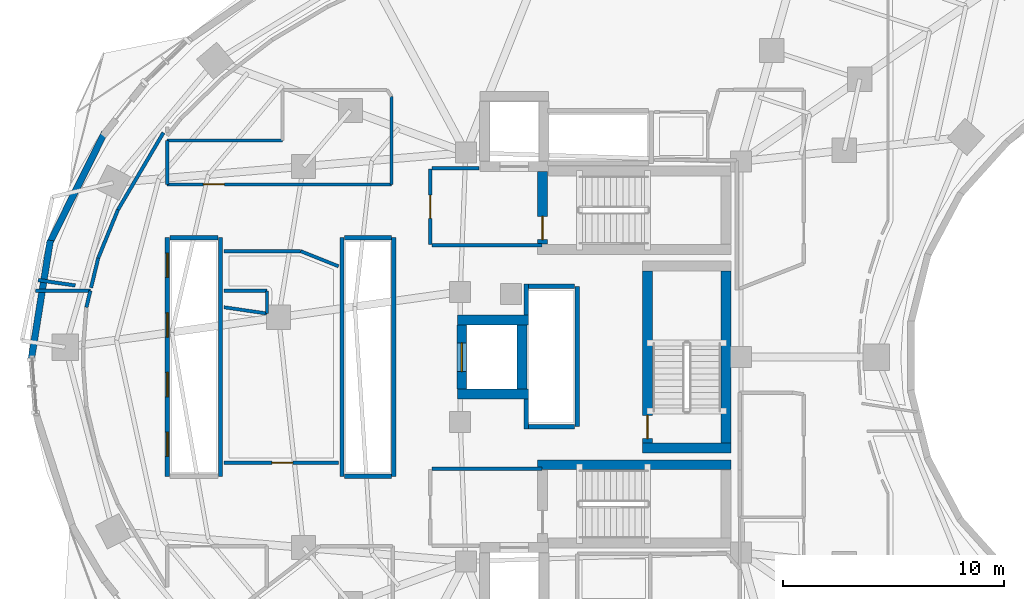
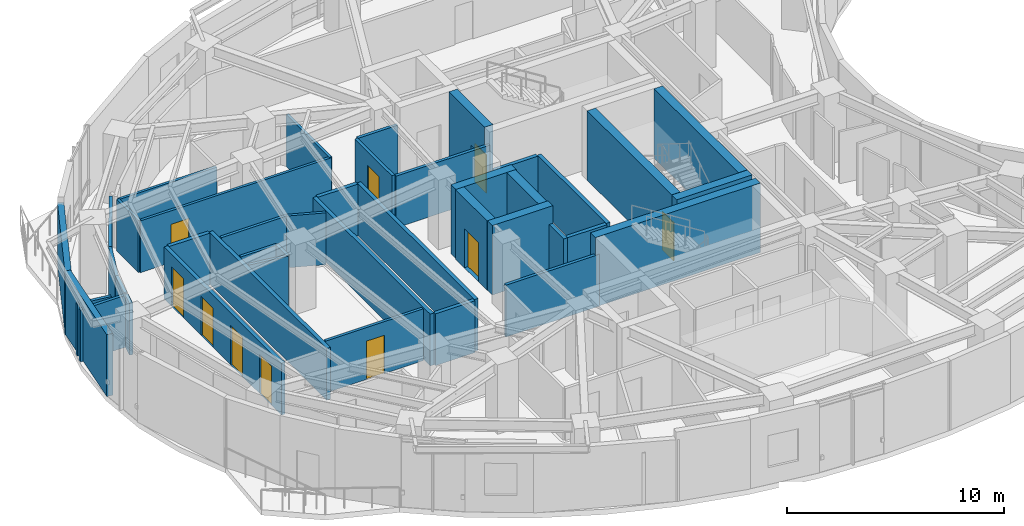
# One storey, part 9 of 15: 43 walls, 10 doors, 10 openings.
"""IFC4 building model written with IfcOpenShell, lengths in metres."""

from ifc_helpers import new_model, si_unit, direction, frame, frame_2d, origin, place, context, subcontext, project, spatial, rectangle, extrude, material, layer, layer_set, type_object, element, fill, save


model = new_model("IFC4")

# Units and contexts
model_context = context("Model", 3, precision=1e-05, world=origin(), true_north=direction((0.0, 1.0)))
body_context = subcontext(model_context, "Body", "Model", "MODEL_VIEW")
ifc_project = project(units=[si_unit("LENGTHUNIT", "METRE"), si_unit("AREAUNIT", "SQUARE_METRE"), si_unit("VOLUMEUNIT", "CUBIC_METRE"), si_unit("PLANEANGLEUNIT", "RADIAN"), si_unit("MASSUNIT", "GRAM", prefix="KILO")], contexts=[model_context])

# Site, building, storey
site_placement = place(None, origin())
site = spatial("IfcSite", under=ifc_project, at=site_placement, CompositionType="ELEMENT")
building_placement = place(site_placement, origin())
building = spatial("IfcBuilding", under=site, at=building_placement, Name="Korentha Bioscience Tower", CompositionType="ELEMENT")
storey_placement = place(building_placement, frame((0.0, 0.0, 115.199951171875)))
storey = spatial("IfcBuildingStorey", under=building, at=storey_placement, Name="L26", CompositionType="ELEMENT", Elevation=115.199951171875)

# Wall, opening, door
ifc_material_1 = material(Name="Double-Stud Acoustic Gypsum", Category="gypsum")
ifc_layer_1 = layer(ifc_material_1, 0.14990234375, Name="Double-Stud Acoustic Gypsum")
ifc_layer_set_1 = layer_set([ifc_layer_1], Name="Double-Stud Acoustic Gypsum (IW-L150)")
wall_type_1 = type_object("IfcWallType", Name="Acoustic Laboratory Partition Wall 150", PredefinedType="PARTITIONING", material=ifc_layer_set_1)
wall_1_placement = place(storey_placement, frame((19.340087890625, 22.2099609375, 0.0), z_axis=(0.0, 0.0, 1.0), x_axis=(-1.0, 0.0, 0.0)))
wall_1 = element("IfcWall", 1, at=wall_1_placement, inside=storey, type_object=wall_type_1, Name="L26 Staff Pantry Kitchenette 01 Entrance Wall", PredefinedType="PARTITIONING", context=body_context, shape_type="SweptSolid", body=[
    extrude(rectangle(XDim=5.18017578125, YDim=0.14990234375, at=frame_2d((2.590087890625, 0.0))), origin(), (0.0, 0.0, 1.0), 2.91015625),
])
opening_1_placement = place(wall_1_placement, frame((2.06787109375, 0.0, 0.0)))
opening_1 = element("IfcOpeningElement", 2, at=opening_1_placement, cuts=wall_1, Name="Opening ID-10L", PredefinedType="OPENING", context=body_context, shape_type="SweptSolid", body=[
    extrude(rectangle(XDim=0.949951171875, YDim=2.14990234375, at=frame_2d((0.47509765625, 1.074951171875))), frame((0.0, 0.08984375, 0.0), z_axis=(0.0, -1.0, 0.0), x_axis=(1.0, 0.0, 0.0)), (0.0, 0.0, 1.0), 0.1796875),
])
ifc_material_2 = material(Name="Phenolic Laminate Timber Core", Category="wood")
door_type_1 = type_object("IfcDoorType", Name="Laboratory Single Leaf Door 950x2150 Left", OperationType="SINGLE_SWING_LEFT", PredefinedType="DOOR", material=ifc_material_2)
door_1_placement = place(opening_1_placement, origin())
door_1 = element("IfcDoor", 3, at=door_1_placement, inside=storey, type_object=door_type_1, Name="L26 Staff Pantry Kitchenette 01 Door", OperationType="SINGLE_SWING_LEFT", OverallHeight=2.14990234375, OverallWidth=0.949951171875, PredefinedType="DOOR", context=body_context, shape_type="SweptSolid", body=[
    extrude(rectangle(XDim=0.949951171875, YDim=2.14990234375, at=frame_2d((0.47509765625, 1.074951171875))), frame((0.0, 0.02490234375, 0.0), z_axis=(0.0, -1.0, 0.0), x_axis=(1.0, 0.0, 0.0)), (0.0, 0.0, 1.0), 0.050048828125),
])
fill(opening_1, door_1)

# Walls
wall_2_placement = place(storey_placement, frame((14.16015625, 29.25146484375, 0.0), z_axis=(0.0, 0.0, 1.0), x_axis=(0.989536319699, -0.144283997718, 0.0)))
element("IfcWall", 4, at=wall_2_placement, inside=storey, type_object=wall_type_1, Name="L26 Interior Partition 020", PredefinedType="PARTITIONING", context=body_context, shape_type="SweptSolid", body=[
    extrude(rectangle(XDim=1.957763671875, YDim=0.14990234375, at=frame_2d((0.97900390625, 0.0))), origin(), (0.0, 0.0, 1.0), 2.91015625),
])
wall_3_placement = place(storey_placement, frame((16.10205078125, 28.972900390625, 0.0), z_axis=(0.0, 0.0, 1.0), x_axis=(0.0, 1.0, 0.0)))
element("IfcWall", 5, at=wall_3_placement, inside=storey, type_object=wall_type_1, Name="L26 Interior Partition 021", PredefinedType="PARTITIONING", context=body_context, shape_type="SweptSolid", body=[
    extrude(rectangle(XDim=1.02490234375, YDim=0.14990234375, at=frame_2d((0.512451171875, 0.0))), origin(), (0.0, 0.0, 1.0), 2.91015625),
])
wall_4_placement = place(storey_placement, frame((16.097900390625, 30.001953125, 0.0), z_axis=(0.0, 0.0, 1.0), x_axis=(-1.0, 0.0, 0.0)))
element("IfcWall", 6, at=wall_4_placement, inside=storey, type_object=wall_type_1, Name="L26 Interior Partition 022", PredefinedType="PARTITIONING", context=body_context, shape_type="SweptSolid", body=[
    extrude(rectangle(XDim=1.937744140625, YDim=0.14990234375, at=frame_2d((0.96875, 0.0))), origin(), (0.0, 0.0, 1.0), 2.91015625),
])
wall_5_placement = place(storey_placement, frame((14.159912109375, 31.7900390625, 0.0), z_axis=(0.0, 0.0, 1.0), x_axis=(1.0, 0.0, 0.0)))
element("IfcWall", 7, at=wall_5_placement, inside=storey, type_object=wall_type_1, Name="L26 Interior Partition 023", PredefinedType="PARTITIONING", context=body_context, shape_type="SweptSolid", body=[
    extrude(rectangle(XDim=3.466552734375, YDim=0.14990234375, at=frame_2d((1.7333984375, 0.0))), origin(), (0.0, 0.0, 1.0), 2.91015625),
])
wall_6_placement = place(storey_placement, frame((17.62646484375, 31.7900390625, 0.0), z_axis=(0.0, 0.0, 1.0), x_axis=(0.928485814786, -0.371367865789, 0.0)))
element("IfcWall", 8, at=wall_6_placement, inside=storey, type_object=wall_type_1, Name="L26 Interior Partition 024", PredefinedType="PARTITIONING", context=body_context, shape_type="SweptSolid", body=[
    extrude(rectangle(XDim=1.845458984375, YDim=0.14990234375, at=frame_2d((0.9228515625, 0.0))), origin(), (0.0, 0.0, 1.0), 2.91015625),
])

# Wall, opening, door
ifc_material_3 = material(Name="Insulated Aluminium Honeycomb Panel", Category="aluminium")
ifc_layer_2 = layer(ifc_material_3, 0.139892578125, Name="Insulated Aluminium Honeycomb Panel")
ifc_layer_set_2 = layer_set([ifc_layer_2], Name="Insulated Aluminium Honeycomb Panel (IW-F60)")
wall_type_2 = type_object("IfcWallType", Name="Cleanroom Flush Metal Panel Partition 140", PredefinedType="PARTITIONING", material=ifc_layer_set_2)
wall_7_placement = place(storey_placement, frame((21.739990234375, 34.81005859375, 0.0), z_axis=(0.0, 0.0, 1.0), x_axis=(-1.0, 0.0, 0.0)))
wall_7 = element("IfcWall", 9, at=wall_7_placement, inside=storey, type_object=wall_type_2, Name="L26 BSL-2 Cell Culture Cleanroom Laboratory 12 Entrance Wall", PredefinedType="PARTITIONING", context=body_context, shape_type="SweptSolid", body=[
    extrude(rectangle(XDim=10.14990234375, YDim=0.139892578125, at=frame_2d((5.074951171875, 0.0))), origin(), (0.0, 0.0, 1.0), 2.91015625),
])
opening_2_placement = place(wall_7_placement, frame((7.568115234375, 0.0, 0.0)))
opening_2 = element("IfcOpeningElement", 10, at=opening_2_placement, cuts=wall_7, Name="Opening ID-10R", PredefinedType="OPENING", context=body_context, shape_type="SweptSolid", body=[
    extrude(rectangle(XDim=0.949951171875, YDim=2.14990234375, at=frame_2d((0.47509765625, 1.074951171875))), frame((0.0, 0.0849609375, 0.0), z_axis=(0.0, -1.0, 0.0), x_axis=(1.0, 0.0, 0.0)), (0.0, 0.0, 1.0), 0.169677734375),
])
door_type_2 = type_object("IfcDoorType", Name="Laboratory Single Leaf Door 950x2150 Right", OperationType="SINGLE_SWING_RIGHT", PredefinedType="DOOR", material=ifc_material_2)
door_2_placement = place(opening_2_placement, origin())
door_2 = element("IfcDoor", 11, at=door_2_placement, inside=storey, type_object=door_type_2, Name="L26 BSL-2 Cell Culture Cleanroom Laboratory 12 Door", OperationType="SINGLE_SWING_RIGHT", OverallHeight=2.14990234375, OverallWidth=0.949951171875, PredefinedType="DOOR", context=body_context, shape_type="SweptSolid", body=[
    extrude(rectangle(XDim=0.949951171875, YDim=2.14990234375, at=frame_2d((0.47509765625, 1.074951171875))), frame((0.0, 0.02490234375, 0.0), z_axis=(0.0, -1.0, 0.0), x_axis=(1.0, 0.0, 0.0)), (0.0, 0.0, 1.0), 0.050048828125),
])
fill(opening_2, door_2)

# Walls
wall_8_placement = place(storey_placement, frame((21.739990234375, 38.79345703125, 0.0), z_axis=(0.0, 0.0, 1.0), x_axis=(0.0, -1.0, 0.0)))
element("IfcWall", 12, at=wall_8_placement, inside=storey, type_object=wall_type_2, Name="L26 Interior Partition 088", PredefinedType="PARTITIONING", context=body_context, shape_type="SweptSolid", body=[
    extrude(rectangle(XDim=3.9833984375, YDim=0.139892578125, at=frame_2d((1.99169921875, 0.0))), origin(), (0.0, 0.0, 1.0), 2.91015625),
])
wall_9_placement = place(storey_placement, frame((11.590087890625, 34.81005859375, 0.0), z_axis=(0.0, 0.0, 1.0), x_axis=(0.0, 1.0, 0.0)))
element("IfcWall", 13, at=wall_9_placement, inside=storey, type_object=wall_type_2, Name="L26 Interior Partition 089", PredefinedType="PARTITIONING", context=body_context, shape_type="SweptSolid", body=[
    extrude(rectangle(XDim=1.97998046875, YDim=0.139892578125, at=frame_2d((0.989990234375, 0.0))), origin(), (0.0, 0.0, 1.0), 2.91015625),
])
wall_10_placement = place(storey_placement, frame((11.590087890625, 36.7900390625, 0.0), z_axis=(0.0, 0.0, 1.0), x_axis=(1.0, 0.0, 0.0)))
element("IfcWall", 14, at=wall_10_placement, inside=storey, type_object=wall_type_2, Name="L26 Interior Partition 090", PredefinedType="PARTITIONING", context=body_context, shape_type="SweptSolid", body=[
    extrude(rectangle(XDim=5.2099609375, YDim=0.139892578125, at=frame_2d((2.60498046875, 0.0))), origin(), (0.0, 0.0, 1.0), 2.91015625),
])

# Wall, opening, door
ifc_material_4 = material(Name="Gypsum-Clad Steel Stud", Category="steel")
ifc_layer_3 = layer(ifc_material_4, 0.159912109375, Name="Gypsum-Clad Steel Stud")
ifc_layer_set_3 = layer_set([ifc_layer_3], Name="Gypsum-Clad Steel Stud (IW-C160)")
wall_type_3 = type_object("IfcWallType", Name="Fire-Rated Corridor Partition Wall 160", PredefinedType="PARTITIONING", material=ifc_layer_set_3)
wall_11_placement = place(storey_placement, frame((23.5, 32.10009765625, 0.0), z_axis=(0.0, 0.0, 1.0), x_axis=(0.0, 1.0, 0.0)))
wall_11 = element("IfcWall", 15, at=wall_11_placement, inside=storey, type_object=wall_type_3, Name="L26 FFLN-CW Rated Enclosure Wall", PredefinedType="PARTITIONING", context=body_context, shape_type="SweptSolid", body=[
    extrude(rectangle(XDim=3.39990234375, YDim=0.159912109375, at=frame_2d((1.699951171875, 0.0))), origin(), (0.0, 0.0, 1.0), 2.91015625),
])
opening_3_placement = place(wall_11_placement, frame((1.175048828125, 0.0, 0.0)))
opening_3 = element("IfcOpeningElement", 16, at=opening_3_placement, cuts=wall_11, Name="Opening FD-90L", PredefinedType="OPENING", context=body_context, shape_type="SweptSolid", body=[
    extrude(rectangle(XDim=1.050048828125, YDim=2.14990234375, at=frame_2d((0.52490234375, 1.074951171875))), frame((0.0, 0.0947265625, 0.0), z_axis=(0.0, -1.0, 0.0), x_axis=(1.0, 0.0, 0.0)), (0.0, 0.0, 1.0), 0.189697265625),
])
ifc_material_5 = material(Name="Powder-Coated Fire-Rated Steel", Category="steel")
door_type_3 = type_object("IfcDoorType", Name="Stairwell Fire Exit Door 1050x2150 Left", OperationType="SINGLE_SWING_LEFT", PredefinedType="DOOR", material=ifc_material_5)
door_3_placement = place(opening_3_placement, origin())
door_3 = element("IfcDoor", 17, at=door_3_placement, inside=storey, type_object=door_type_3, Name="L26 North Firefighting Lobby Door", OperationType="SINGLE_SWING_LEFT", OverallHeight=2.14990234375, OverallWidth=1.050048828125, PredefinedType="DOOR", context=body_context, shape_type="SweptSolid", body=[
    extrude(rectangle(XDim=1.050048828125, YDim=2.14990234375, at=frame_2d((0.52490234375, 1.074951171875))), frame((0.0, 0.02490234375, 0.0), z_axis=(0.0, -1.0, 0.0), x_axis=(1.0, 0.0, 0.0)), (0.0, 0.0, 1.0), 0.050048828125),
])
fill(opening_3, door_3)

# Walls
wall_12_placement = place(storey_placement, frame((23.580078125, 32.050048828125, 0.0), z_axis=(0.0, 0.0, 1.0), x_axis=(1.0, 0.0, 0.0)))
element("IfcWall", 18, at=wall_12_placement, inside=storey, type_object=wall_type_3, Name="L26 Firefighting Lobby Return Wall FFLN-S", PredefinedType="PARTITIONING", context=body_context, shape_type="SweptSolid", body=[
    extrude(rectangle(XDim=4.969970703125, YDim=0.159912109375, at=frame_2d((2.48486328125, 0.0))), origin(), (0.0, 0.0, 1.0), 2.91015625),
])
wall_13_placement = place(storey_placement, frame((23.580078125, 35.550048828125, 0.0), z_axis=(0.0, 0.0, 1.0), x_axis=(1.0, 0.0, 0.0)))
element("IfcWall", 19, at=wall_13_placement, inside=storey, type_object=wall_type_3, Name="L26 Firefighting Lobby Return Wall FFLN-N", PredefinedType="PARTITIONING", context=body_context, shape_type="SweptSolid", body=[
    extrude(rectangle(XDim=2.119873046875, YDim=0.159912109375, at=frame_2d((1.06005859375, 0.0))), origin(), (0.0, 0.0, 1.0), 2.91015625),
])
wall_14_placement = place(storey_placement, frame((23.580078125, 21.949951171875, 0.0), z_axis=(0.0, 0.0, 1.0), x_axis=(1.0, 0.0, 0.0)))
element("IfcWall", 20, at=wall_14_placement, inside=storey, type_object=wall_type_3, Name="L26 Firefighting Lobby Return Wall FFLS-N", PredefinedType="PARTITIONING", context=body_context, shape_type="SweptSolid", body=[
    extrude(rectangle(XDim=4.969970703125, YDim=0.159912109375, at=frame_2d((2.48486328125, 0.0))), origin(), (0.0, 0.0, 1.0), 2.91015625),
])
wall_15_placement = place(storey_placement, frame((5.638916015625, 29.998046875, 0.0), z_axis=(0.0, 0.0, 1.0), x_axis=(1.0, 0.0, 0.0)))
element("IfcWall", 21, at=wall_15_placement, inside=storey, type_object=wall_type_3, Name="L26 Interior Partition 025", PredefinedType="PARTITIONING", context=body_context, shape_type="SweptSolid", body=[
    extrude(rectangle(XDim=2.47119140625, YDim=0.159912109375, at=frame_2d((1.235595703125, 0.0))), origin(), (0.0, 0.0, 1.0), 2.91015625),
])
wall_16_placement = place(storey_placement, frame((8.110107421875, 29.998046875, 0.0), z_axis=(0.0, 0.0, 1.0), x_axis=(-0.233781391942, -0.972289185779, 0.0)))
element("IfcWall", 22, at=wall_16_placement, inside=storey, type_object=wall_type_3, Name="L26 Interior Partition 026", PredefinedType="PARTITIONING", context=body_context, shape_type="SweptSolid", body=[
    extrude(rectangle(XDim=0.7685546875, YDim=0.159912109375, at=frame_2d((0.38427734375, 0.0))), origin(), (0.0, 0.0, 1.0), 2.91015625),
])
wall_17_placement = place(storey_placement, frame((11.418701171875, 37.154296875, 0.0), z_axis=(0.0, 0.0, 1.0), x_axis=(-0.508183269016, -0.861248956511, 0.0)))
element("IfcWall", 23, at=wall_17_placement, inside=storey, type_object=wall_type_3, Name="L26 Interior Partition 084", PredefinedType="PARTITIONING", context=body_context, shape_type="SweptSolid", body=[
    extrude(rectangle(XDim=4.052734375, YDim=0.159912109375, at=frame_2d((2.0263671875, 0.0))), origin(), (0.0, 0.0, 1.0), 2.91015625),
])
wall_18_placement = place(storey_placement, frame((9.3583984375, 33.66259765625, 0.0), z_axis=(0.0, 0.0, 1.0), x_axis=(-0.378306283753, -0.925680482495, 0.0)))
element("IfcWall", 24, at=wall_18_placement, inside=storey, type_object=wall_type_3, Name="L26 Interior Partition 085", PredefinedType="PARTITIONING", context=body_context, shape_type="SweptSolid", body=[
    extrude(rectangle(XDim=2.358154296875, YDim=0.159912109375, at=frame_2d((1.17919921875, 0.0))), origin(), (0.0, 0.0, 1.0), 2.91015625),
])
wall_19_placement = place(storey_placement, frame((8.4658203125, 31.478515625, 0.0), z_axis=(0.0, 0.0, 1.0), x_axis=(-0.233639910683, -0.972323193252, 0.0)))
element("IfcWall", 25, at=wall_19_placement, inside=storey, type_object=wall_type_3, Name="L26 Interior Partition 086", PredefinedType="PARTITIONING", context=body_context, shape_type="SweptSolid", body=[
    extrude(rectangle(XDim=1.383544921875, YDim=0.159912109375, at=frame_2d((0.69189453125, 0.0))), origin(), (0.0, 0.0, 1.0), 2.91015625),
])
wall_20_placement = place(storey_placement, frame((7.42578125, 30.238037109375, 0.0), z_axis=(0.0, 0.0, 1.0), x_axis=(-0.989524406919, 0.144365674976, 0.0)))
element("IfcWall", 26, at=wall_20_placement, inside=storey, type_object=wall_type_3, Name="L26 Interior Partition 087", PredefinedType="PARTITIONING", context=body_context, shape_type="SweptSolid", body=[
    extrude(rectangle(XDim=1.694580078125, YDim=0.159912109375, at=frame_2d((0.84716796875, 0.0))), origin(), (0.0, 0.0, 1.0), 2.91015625),
])
ifc_material_6 = material(Name="Honed Limestone Precast Concrete C40", Category="masonry")
ifc_layer_4 = layer(ifc_material_6, 0.300048828125, Name="Honed Limestone Precast Concrete C40")
ifc_layer_set_4 = layer_set([ifc_layer_4], Name="Honed Limestone Precast Concrete C40 (EW-ST300)")
wall_type_4 = type_object("IfcWallType", Name="Honed Limestone Cavity Spandrel Wall 300", PredefinedType="STANDARD", material=ifc_layer_set_4)
wall_21_placement = place(storey_placement, frame((8.757568359375, 37.16259765625, 0.0), z_axis=(0.0, 0.0, 1.0), x_axis=(-0.445298052399, -0.895382401284, 0.0)))
element("IfcWall", 27, at=wall_21_placement, inside=storey, type_object=wall_type_4, Name="L26 Limestone Perimeter Closure Wall 15", PredefinedType="STANDARD", context=body_context, shape_type="SweptSolid", body=[
    extrude(rectangle(XDim=5.661865234375, YDim=0.300048828125, at=frame_2d((2.8310546875, 0.0))), origin(), (0.0, 0.0, 1.0), 3.469970703125),
])
wall_22_placement = place(storey_placement, frame((6.29736328125, 32.2841796875, 0.0), z_axis=(0.0, 0.0, 1.0), x_axis=(-0.157279785013, -0.987554084203, 0.0)))
element("IfcWall", 28, at=wall_22_placement, inside=storey, type_object=wall_type_4, Name="L26 Limestone Perimeter Closure Wall 17", PredefinedType="STANDARD", context=body_context, shape_type="SweptSolid", body=[
    extrude(rectangle(XDim=5.453125, YDim=0.300048828125, at=frame_2d((2.7265625, 0.0))), origin(), (0.0, 0.0, 1.0), 3.469970703125),
])

# Wall, openings, doors
ifc_material_7 = material(Name="Autoclaved Aerated Concrete Block C25", Category="concrete")
ifc_layer_5 = layer(ifc_material_7, 0.199951171875, Name="Autoclaved Aerated Concrete Block C25")
ifc_layer_set_5 = layer_set([ifc_layer_5], Name="Autoclaved Aerated Concrete Block C25 (IW-S200)")
wall_type_5 = type_object("IfcWallType", Name="Lift and Riser Shaft Enclosure Wall 200", PredefinedType="PARTITIONING", material=ifc_layer_set_5)
wall_23_placement = place(storey_placement, frame((11.60009765625, 21.60009765625, 0.0), z_axis=(0.0, 0.0, 1.0), x_axis=(0.0, 1.0, 0.0)))
wall_23 = element("IfcWall", 29, at=wall_23_placement, inside=storey, type_object=wall_type_5, Name="L26 Lift Bank LOW Shaft Wall -X", PredefinedType="PARTITIONING", context=body_context, shape_type="SweptSolid", body=[
    extrude(rectangle(XDim=10.7998046875, YDim=0.199951171875, at=frame_2d((5.39990234375, 0.0))), origin(), (0.0, 0.0, 1.0), 2.91015625),
])
opening_4_placement = place(wall_23_placement, frame((0.89990234375, 0.0, 0.0)))
opening_4 = element("IfcOpeningElement", 30, at=opening_4_placement, cuts=wall_23, Name="Opening LD-11", PredefinedType="OPENING", context=body_context, shape_type="SweptSolid", body=[
    extrude(rectangle(XDim=1.10009765625, YDim=2.199951171875, at=frame_2d((0.550048828125, 1.10009765625))), frame((0.0, 0.11474609375, 0.0), z_axis=(0.0, -1.0, 0.0), x_axis=(1.0, 0.0, 0.0)), (0.0, 0.0, 1.0), 0.229736328125),
])
opening_5_placement = place(wall_23_placement, frame((3.60009765625, 0.0, 0.0)))
opening_5 = element("IfcOpeningElement", 31, at=opening_5_placement, cuts=wall_23, Name="Opening LD-11", PredefinedType="OPENING", context=body_context, shape_type="SweptSolid", body=[
    extrude(rectangle(XDim=1.10009765625, YDim=2.199951171875, at=frame_2d((0.550048828125, 1.10009765625))), frame((0.0, 0.11474609375, 0.0), z_axis=(0.0, -1.0, 0.0), x_axis=(1.0, 0.0, 0.0)), (0.0, 0.0, 1.0), 0.229736328125),
])
opening_6_placement = place(wall_23_placement, frame((6.300048828125, 0.0, 0.0)))
opening_6 = element("IfcOpeningElement", 32, at=opening_6_placement, cuts=wall_23, Name="Opening LD-11", PredefinedType="OPENING", context=body_context, shape_type="SweptSolid", body=[
    extrude(rectangle(XDim=1.10009765625, YDim=2.199951171875, at=frame_2d((0.550048828125, 1.10009765625))), frame((0.0, 0.11474609375, 0.0), z_axis=(0.0, -1.0, 0.0), x_axis=(1.0, 0.0, 0.0)), (0.0, 0.0, 1.0), 0.229736328125),
])
opening_7_placement = place(wall_23_placement, frame((9.0, 0.0, 0.0)))
opening_7 = element("IfcOpeningElement", 33, at=opening_7_placement, cuts=wall_23, Name="Opening LD-11", PredefinedType="OPENING", context=body_context, shape_type="SweptSolid", body=[
    extrude(rectangle(XDim=1.10009765625, YDim=2.199951171875, at=frame_2d((0.550048828125, 1.10009765625))), frame((0.0, 0.11474609375, 0.0), z_axis=(0.0, -1.0, 0.0), x_axis=(1.0, 0.0, 0.0)), (0.0, 0.0, 1.0), 0.229736328125),
])
ifc_material_8 = material(Name="Brushed Stainless Steel 304", Category="steel")
door_type_4 = type_object("IfcDoorType", Name="Passenger Lift Sliding Landing Door 1100x2200", OperationType="DOUBLE_DOOR_SLIDING", PredefinedType="DOOR", material=ifc_material_8)
door_4_placement = place(opening_4_placement, origin())
door_4 = element("IfcDoor", 34, at=door_4_placement, inside=storey, type_object=door_type_4, Name="L26 PL-L1 Sliding Lift Landing Door", OperationType="DOUBLE_DOOR_SLIDING", OverallHeight=2.199951171875, OverallWidth=1.10009765625, PredefinedType="DOOR", context=body_context, shape_type="SweptSolid", body=[
    extrude(rectangle(XDim=1.10009765625, YDim=2.199951171875, at=frame_2d((0.550048828125, 1.10009765625))), frame((0.0, 0.02490234375, 0.0), z_axis=(0.0, -1.0, 0.0), x_axis=(1.0, 0.0, 0.0)), (0.0, 0.0, 1.0), 0.050048828125),
])
fill(opening_4, door_4)
door_5_placement = place(opening_5_placement, origin())
door_5 = element("IfcDoor", 35, at=door_5_placement, inside=storey, type_object=door_type_4, Name="L26 PL-L2 Sliding Lift Landing Door", OperationType="DOUBLE_DOOR_SLIDING", OverallHeight=2.199951171875, OverallWidth=1.10009765625, PredefinedType="DOOR", context=body_context, shape_type="SweptSolid", body=[
    extrude(rectangle(XDim=1.10009765625, YDim=2.199951171875, at=frame_2d((0.550048828125, 1.10009765625))), frame((0.0, 0.02490234375, 0.0), z_axis=(0.0, -1.0, 0.0), x_axis=(1.0, 0.0, 0.0)), (0.0, 0.0, 1.0), 0.050048828125),
])
fill(opening_5, door_5)
door_6_placement = place(opening_6_placement, origin())
door_6 = element("IfcDoor", 36, at=door_6_placement, inside=storey, type_object=door_type_4, Name="L26 PL-L3 Sliding Lift Landing Door", OperationType="DOUBLE_DOOR_SLIDING", OverallHeight=2.199951171875, OverallWidth=1.10009765625, PredefinedType="DOOR", context=body_context, shape_type="SweptSolid", body=[
    extrude(rectangle(XDim=1.10009765625, YDim=2.199951171875, at=frame_2d((0.550048828125, 1.10009765625))), frame((0.0, 0.02490234375, 0.0), z_axis=(0.0, -1.0, 0.0), x_axis=(1.0, 0.0, 0.0)), (0.0, 0.0, 1.0), 0.050048828125),
])
fill(opening_6, door_6)
door_7_placement = place(opening_7_placement, origin())
door_7 = element("IfcDoor", 37, at=door_7_placement, inside=storey, type_object=door_type_4, Name="L26 PL-L4 Sliding Lift Landing Door", OperationType="DOUBLE_DOOR_SLIDING", OverallHeight=2.199951171875, OverallWidth=1.10009765625, PredefinedType="DOOR", context=body_context, shape_type="SweptSolid", body=[
    extrude(rectangle(XDim=1.10009765625, YDim=2.199951171875, at=frame_2d((0.550048828125, 1.10009765625))), frame((0.0, 0.02490234375, 0.0), z_axis=(0.0, -1.0, 0.0), x_axis=(1.0, 0.0, 0.0)), (0.0, 0.0, 1.0), 0.050048828125),
])
fill(opening_7, door_7)

# Walls
wall_24_placement = place(storey_placement, frame((14.0, 21.60009765625, 0.0), z_axis=(0.0, 0.0, 1.0), x_axis=(0.0, 1.0, 0.0)))
element("IfcWall", 38, at=wall_24_placement, inside=storey, type_object=wall_type_5, Name="L26 Lift Bank LOW Shaft Wall +X", PredefinedType="PARTITIONING", context=body_context, shape_type="SweptSolid", body=[
    extrude(rectangle(XDim=10.7998046875, YDim=0.199951171875, at=frame_2d((5.39990234375, 0.0))), origin(), (0.0, 0.0, 1.0), 2.91015625),
])
wall_25_placement = place(storey_placement, frame((11.719970703125, 32.39990234375, 0.0), z_axis=(0.0, 0.0, 1.0), x_axis=(1.0, 0.0, 0.0)))
element("IfcWall", 39, at=wall_25_placement, inside=storey, type_object=wall_type_5, Name="L26 Lift Bank LOW Shaft Wall +Y", PredefinedType="PARTITIONING", context=body_context, shape_type="SweptSolid", body=[
    extrude(rectangle(XDim=2.159912109375, YDim=0.199951171875, at=frame_2d((1.080078125, 0.0))), origin(), (0.0, 0.0, 1.0), 2.91015625),
])
for number, where, z_axis, x_axis, name in (
    (40, (19.5, 21.60009765625, 0.0), (0.0, 0.0, 1.0), (0.0, 1.0, 0.0), "L26 Lift Bank MID Shaft Wall -X"),
    (41, (21.85009765625, 21.60009765625, 0.0), (0.0, 0.0, 1.0), (0.0, 1.0, 0.0), "L26 Lift Bank MID Shaft Wall +X"),
):
    element("IfcWall", number, at=place(storey_placement, frame(where, z_axis=z_axis, x_axis=x_axis)), inside=storey, type_object=wall_type_5, Name=name, PredefinedType="PARTITIONING", context=body_context, shape_type="SweptSolid", body=[
        extrude(rectangle(XDim=10.7998046875, YDim=0.199951171875, at=frame_2d((5.39990234375, 0.0))), origin(), (0.0, 0.0, 1.0), 2.91015625),
    ])
for number, where, z_axis, x_axis, name in (
    (42, (19.6201171875, 21.60009765625, 0.0), (0.0, 0.0, 1.0), (1.0, 0.0, 0.0), "L26 Lift Bank MID Shaft Wall -Y"),
    (43, (19.6201171875, 32.39990234375, 0.0), (0.0, 0.0, 1.0), (1.0, 0.0, 0.0), "L26 Lift Bank MID Shaft Wall +Y"),
):
    element("IfcWall", number, at=place(storey_placement, frame(where, z_axis=z_axis, x_axis=x_axis)), inside=storey, type_object=wall_type_5, Name=name, PredefinedType="PARTITIONING", context=body_context, shape_type="SweptSolid", body=[
        extrude(rectangle(XDim=2.10986328125, YDim=0.199951171875, at=frame_2d((1.054931640625, 0.0))), origin(), (0.0, 0.0, 1.0), 2.91015625),
    ])
wall_26_placement = place(storey_placement, frame((27.830078125, 23.75, 0.0), z_axis=(0.0, 0.0, 1.0), x_axis=(0.0, 1.0, 0.0)))
element("IfcWall", 44, at=wall_26_placement, inside=storey, type_object=wall_type_5, Name="L26 Lift Bank HIGH Shaft Wall -XS", PredefinedType="PARTITIONING", context=body_context, shape_type="SweptSolid", body=[
    extrude(rectangle(XDim=1.341064453125, YDim=0.199951171875, at=frame_2d((0.67041015625, 0.0))), origin(), (0.0, 0.0, 1.0), 2.91015625),
])
wall_27_placement = place(storey_placement, frame((27.830078125, 28.908935546875, 0.0), z_axis=(0.0, 0.0, 1.0), x_axis=(0.0, 1.0, 0.0)))
element("IfcWall", 45, at=wall_27_placement, inside=storey, type_object=wall_type_5, Name="L26 Lift Bank HIGH Shaft Wall -XN", PredefinedType="PARTITIONING", context=body_context, shape_type="SweptSolid", body=[
    extrude(rectangle(XDim=1.39111328125, YDim=0.199951171875, at=frame_2d((0.695556640625, 0.0))), origin(), (0.0, 0.0, 1.0), 2.91015625),
])
wall_28_placement = place(storey_placement, frame((30.14990234375, 23.85009765625, 0.0), z_axis=(0.0, 0.0, 1.0), x_axis=(0.0, 1.0, 0.0)))
element("IfcWall", 46, at=wall_28_placement, inside=storey, type_object=wall_type_5, Name="L26 Lift Bank HIGH Shaft Wall +X", PredefinedType="PARTITIONING", context=body_context, shape_type="SweptSolid", body=[
    extrude(rectangle(XDim=6.349853515625, YDim=0.199951171875, at=frame_2d((3.1748046875, 0.0))), origin(), (0.0, 0.0, 1.0), 2.91015625),
])
for number, where, z_axis, x_axis, name in (
    (47, (27.93408203125, 23.85009765625, 0.0), (0.0, 0.0, 1.0), (1.0, 0.0, 0.0), "L26 Lift Bank HIGH Shaft Wall -Y"),
    (48, (27.93408203125, 30.199951171875, 0.0), (0.0, 0.0, 1.0), (1.0, 0.0, 0.0), "L26 Lift Bank HIGH Shaft Wall +Y"),
):
    element("IfcWall", number, at=place(storey_placement, frame(where, z_axis=z_axis, x_axis=x_axis)), inside=storey, type_object=wall_type_5, Name=name, PredefinedType="PARTITIONING", context=body_context, shape_type="SweptSolid", body=[
        extrude(rectangle(XDim=2.095947265625, YDim=0.199951171875, at=frame_2d((1.0478515625, 0.0))), origin(), (0.0, 0.0, 1.0), 2.91015625),
    ])

# Wall, opening, door
ifc_material_9 = material(Name="Concrete C80", Category="concrete")
ifc_layer_6 = layer(ifc_material_9, 0.449951171875, Name="Concrete C80")
ifc_layer_set_6 = layer_set([ifc_layer_6], Name="Concrete C80 (CW-C80)")
wall_type_6 = type_object("IfcWallType", Name="Lower Core Shear Wall 450", PredefinedType="SHEAR", material=ifc_layer_set_6)
wall_29_placement = place(storey_placement, frame((28.574951171875, 32.110107421875, 0.0), z_axis=(0.0, 0.0, 1.0), x_axis=(0.0, 1.0, 0.0)))
wall_29 = element("IfcWall", 49, at=wall_29_placement, inside=storey, type_object=wall_type_6, Name="L26 Core Shear Wall ST1-W", PredefinedType="SHEAR", context=body_context, shape_type="SweptSolid", body=[
    extrude(rectangle(XDim=3.282958984375, YDim=0.449951171875, at=frame_2d((1.6416015625, 0.0))), origin(), (0.0, 0.0, 1.0), 3.900146484375),
])
opening_8_placement = place(wall_29_placement, frame((0.199951171875, 0.0, 0.0)))
opening_8 = element("IfcOpeningElement", 50, at=opening_8_placement, cuts=wall_29, Name="Opening FD-90L", PredefinedType="OPENING", context=body_context, shape_type="SweptSolid", body=[
    extrude(rectangle(XDim=1.050048828125, YDim=2.14990234375, at=frame_2d((0.52490234375, 1.074951171875))), frame((0.0, 0.23974609375, 0.0), z_axis=(0.0, -1.0, 0.0), x_axis=(1.0, 0.0, 0.0)), (0.0, 0.0, 1.0), 0.479736328125),
])
door_8_placement = place(opening_8_placement, origin())
door_8 = element("IfcDoor", 51, at=door_8_placement, inside=storey, type_object=door_type_3, Name="L26 ST-1 Fire Exit Stair Door", OperationType="SINGLE_SWING_LEFT", OverallHeight=2.14990234375, OverallWidth=1.050048828125, PredefinedType="DOOR", context=body_context, shape_type="SweptSolid", body=[
    extrude(rectangle(XDim=1.050048828125, YDim=2.14990234375, at=frame_2d((0.52490234375, 1.074951171875))), frame((0.0, 0.02490234375, 0.0), z_axis=(0.0, -1.0, 0.0), x_axis=(1.0, 0.0, 0.0)), (0.0, 0.0, 1.0), 0.050048828125),
])
fill(opening_8, door_8)

# Walls
wall_30_placement = place(storey_placement, frame((28.35009765625, 22.125, 0.0), z_axis=(0.0, 0.0, 1.0), x_axis=(1.0, 0.0, 0.0)))
element("IfcWall", 52, at=wall_30_placement, inside=storey, type_object=wall_type_6, Name="L26 Core Shear Wall ST2-N", PredefinedType="SHEAR", context=body_context, shape_type="SweptSolid", body=[
    extrude(rectangle(XDim=8.75, YDim=0.449951171875, at=frame_2d((4.375, 0.0))), origin(), (0.0, 0.0, 1.0), 3.900146484375),
])
wall_31_placement = place(storey_placement, frame((33.10009765625, 22.875, 0.0), z_axis=(0.0, 0.0, 1.0), x_axis=(1.0, 0.0, 0.0)))
element("IfcWall", 53, at=wall_31_placement, inside=storey, type_object=wall_type_6, Name="L26 Core Shear Wall ST3-S", PredefinedType="SHEAR", context=body_context, shape_type="SweptSolid", body=[
    extrude(rectangle(XDim=4.0, YDim=0.449951171875, at=frame_2d((2.0, 0.0))), origin(), (0.0, 0.0, 1.0), 3.900146484375),
])
wall_32_placement = place(storey_placement, frame((36.875, 23.110107421875, 0.0), z_axis=(0.0, 0.0, 1.0), x_axis=(0.0, 1.0, 0.0)))
element("IfcWall", 54, at=wall_32_placement, inside=storey, type_object=wall_type_6, Name="L26 Core Shear Wall ST3-E", PredefinedType="SHEAR", context=body_context, shape_type="SweptSolid", body=[
    extrude(rectangle(XDim=7.77978515625, YDim=0.449951171875, at=frame_2d((3.889892578125, 0.0))), origin(), (0.0, 0.0, 1.0), 3.900146484375),
])

# Wall, opening, door
wall_33_placement = place(storey_placement, frame((33.324951171875, 23.110107421875, 0.0), z_axis=(0.0, 0.0, 1.0), x_axis=(0.0, 1.0, 0.0)))
wall_33 = element("IfcWall", 55, at=wall_33_placement, inside=storey, type_object=wall_type_6, Name="L26 Core Shear Wall ST3-W", PredefinedType="SHEAR", context=body_context, shape_type="SweptSolid", body=[
    extrude(rectangle(XDim=7.77978515625, YDim=0.449951171875, at=frame_2d((3.889892578125, 0.0))), origin(), (0.0, 0.0, 1.0), 3.900146484375),
])
opening_9_placement = place(wall_33_placement, frame((0.199951171875, 0.0, 0.0)))
opening_9 = element("IfcOpeningElement", 56, at=opening_9_placement, cuts=wall_33, Name="Opening FD-90L", PredefinedType="OPENING", context=body_context, shape_type="SweptSolid", body=[
    extrude(rectangle(XDim=1.050048828125, YDim=2.14990234375, at=frame_2d((0.52490234375, 1.074951171875))), frame((0.0, 0.23974609375, 0.0), z_axis=(0.0, -1.0, 0.0), x_axis=(1.0, 0.0, 0.0)), (0.0, 0.0, 1.0), 0.479736328125),
])
door_9_placement = place(opening_9_placement, origin())
door_9 = element("IfcDoor", 57, at=door_9_placement, inside=storey, type_object=door_type_3, Name="L26 ST-3 Fire Exit Stair Door", OperationType="SINGLE_SWING_LEFT", OverallHeight=2.14990234375, OverallWidth=1.050048828125, PredefinedType="DOOR", context=body_context, shape_type="SweptSolid", body=[
    extrude(rectangle(XDim=1.050048828125, YDim=2.14990234375, at=frame_2d((0.52490234375, 1.074951171875))), frame((0.0, 0.02490234375, 0.0), z_axis=(0.0, -1.0, 0.0), x_axis=(1.0, 0.0, 0.0)), (0.0, 0.0, 1.0), 0.050048828125),
])
fill(opening_9, door_9)

# Walls
for number, where, z_axis, x_axis, name in (
    (58, (24.719970703125, 28.679931640625, 0.0), (0.0, 0.0, 1.0), (1.0, 0.0, 0.0), "L26 Core Shear Wall SVL1-N"),
    (59, (24.719970703125, 25.320068359375, 0.0), (0.0, 0.0, 1.0), (1.0, 0.0, 0.0), "L26 Core Shear Wall SVL1-S"),
):
    element("IfcWall", number, at=place(storey_placement, frame(where, z_axis=z_axis, x_axis=x_axis)), inside=storey, type_object=wall_type_6, Name=name, PredefinedType="SHEAR", context=body_context, shape_type="SweptSolid", body=[
        extrude(rectangle(XDim=3.2099609375, YDim=0.449951171875, at=frame_2d((1.60498046875, 0.0))), origin(), (0.0, 0.0, 1.0), 3.900146484375),
    ])

# Wall, opening, door
wall_34_placement = place(storey_placement, frame((24.919921875, 25.547119140625, 0.0), z_axis=(0.0, 0.0, 1.0), x_axis=(0.0, 1.0, 0.0)))
wall_34 = element("IfcWall", 60, at=wall_34_placement, inside=storey, type_object=wall_type_6, Name="L26 Core Shear Wall SVL1-W", PredefinedType="SHEAR", context=body_context, shape_type="SweptSolid", body=[
    extrude(rectangle(XDim=2.90576171875, YDim=0.449951171875, at=frame_2d((1.452880859375, 0.0))), origin(), (0.0, 0.0, 1.0), 3.900146484375),
])
opening_10_placement = place(wall_34_placement, frame((0.7900390625, 0.0, 0.0)))
opening_10 = element("IfcOpeningElement", 61, at=opening_10_placement, cuts=wall_34, Name="Opening LD-13", PredefinedType="OPENING", context=body_context, shape_type="SweptSolid", body=[
    extrude(rectangle(XDim=1.300048828125, YDim=2.199951171875, at=frame_2d((0.64990234375, 1.10009765625))), frame((0.0, 0.23974609375, 0.0), z_axis=(0.0, -1.0, 0.0), x_axis=(1.0, 0.0, 0.0)), (0.0, 0.0, 1.0), 0.479736328125),
])
ifc_material_10 = material(Name="Brushed Stainless Steel 316", Category="steel")
door_type_5 = type_object("IfcDoorType", Name="Service & Firefighting Lift Landing Door 1300x2300", OperationType="DOUBLE_DOOR_SLIDING", PredefinedType="DOOR", material=ifc_material_10)
door_10_placement = place(opening_10_placement, origin())
door_10 = element("IfcDoor", 62, at=door_10_placement, inside=storey, type_object=door_type_5, Name="L26 SVL-1 Sliding Lift Landing Door", OperationType="DOUBLE_DOOR_SLIDING", OverallHeight=2.199951171875, OverallWidth=1.300048828125, PredefinedType="DOOR", context=body_context, shape_type="SweptSolid", body=[
    extrude(rectangle(XDim=1.300048828125, YDim=2.199951171875, at=frame_2d((0.64990234375, 1.10009765625))), frame((0.0, 0.02490234375, 0.0), z_axis=(0.0, -1.0, 0.0), x_axis=(1.0, 0.0, 0.0)), (0.0, 0.0, 1.0), 0.050048828125),
])
fill(opening_10, door_10)

# Wall
wall_35_placement = place(storey_placement, frame((27.64990234375, 25.547119140625, 0.0), z_axis=(0.0, 0.0, 1.0), x_axis=(0.0, 1.0, 0.0)))
element("IfcWall", 63, at=wall_35_placement, inside=storey, type_object=wall_type_6, Name="L26 Core Shear Wall SVL1-E", PredefinedType="SHEAR", context=body_context, shape_type="SweptSolid", body=[
    extrude(rectangle(XDim=2.90576171875, YDim=0.449951171875, at=frame_2d((1.452880859375, 0.0))), origin(), (0.0, 0.0, 1.0), 3.900146484375),
])

save(model, "model.ifc")
